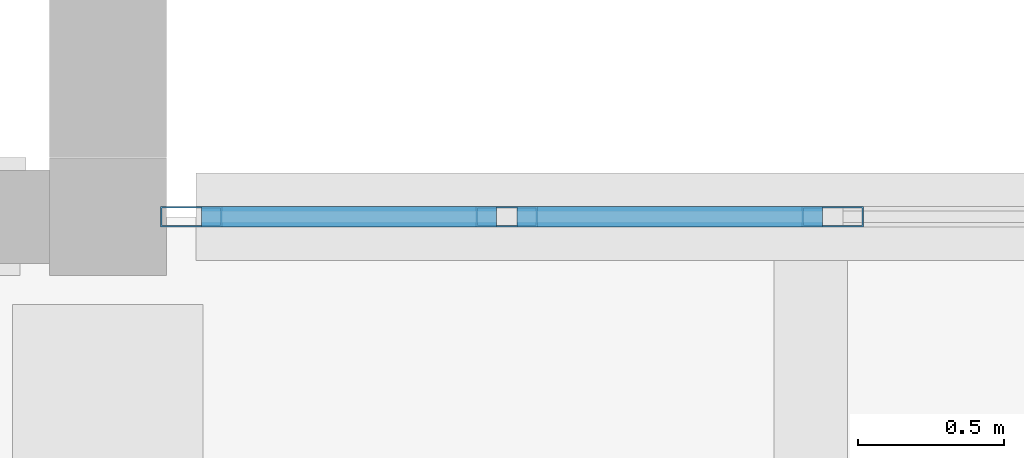
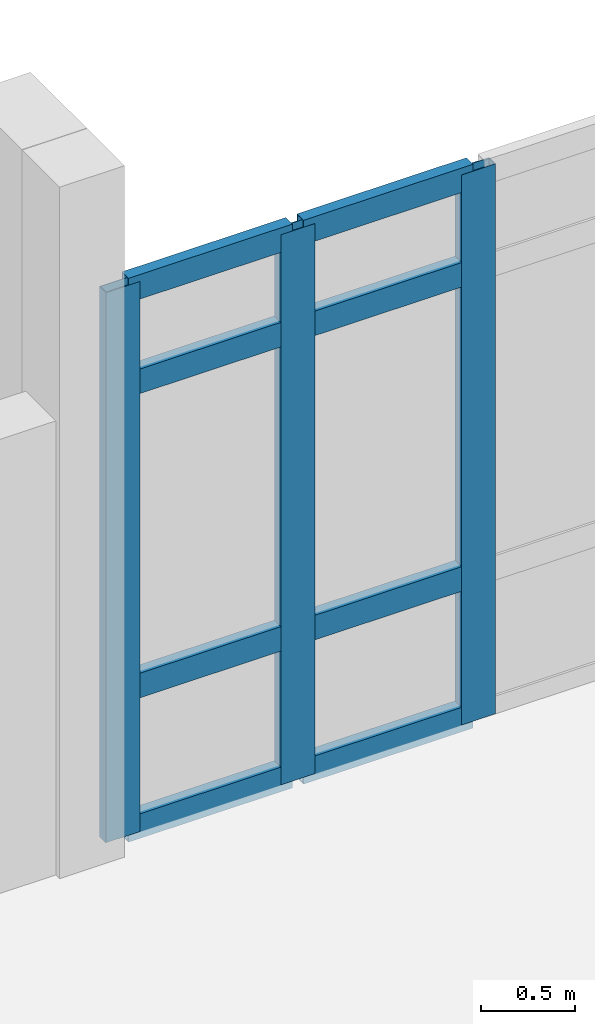
# One storey, part 12 of 34: 11 members, 1 element without a shape of its own.
"""IFC4 building model written with IfcOpenShell, lengths in metres."""

from ifc_helpers import new_model, si_unit, direction, frame, origin, origin_2d, place, context, subcontext, project, spatial, hollow_rectangle, extrude, material, material_profile, profile_set, type_object, element, aggregate, save


model = new_model("IFC4")

# Units and contexts
model_context = context("Model", 3, precision=1e-05, world=origin(), true_north=direction((0.0, 1.0)))
body_context = subcontext(model_context, "Body", "Model", "MODEL_VIEW")
ifc_project = project(units=[si_unit("LENGTHUNIT", "METRE"), si_unit("AREAUNIT", "SQUARE_METRE"), si_unit("VOLUMEUNIT", "CUBIC_METRE"), si_unit("PLANEANGLEUNIT", "RADIAN"), si_unit("MASSUNIT", "GRAM", prefix="KILO")], contexts=[model_context])

# Site, building, storey
site_placement = place(None, origin())
site = spatial("IfcSite", under=ifc_project, at=site_placement, CompositionType="ELEMENT")
building_placement = place(site_placement, origin())
building = spatial("IfcBuilding", under=site, at=building_placement, Name="Kalluvel Institute of Natural Sciences", CompositionType="ELEMENT")
storey_placement = place(building_placement, frame((0.0, 0.0, 36.89990234375)))
storey = spatial("IfcBuildingStorey", under=building, at=storey_placement, Name="L08", CompositionType="ELEMENT", Elevation=36.89990234375)

# Curtain wall, members
ifc_material = material(Name="Aluminium AW-6063 T6", Category="aluminium")
curtain_wall_type = type_object("IfcCurtainWallType", Name="CW-WET-45", PredefinedType="USERDEFINED", material=ifc_material)
curtain_wall_placement = place(storey_placement, origin())
curtain_wall = element("IfcCurtainWall", 1, at=curtain_wall_placement, inside=storey, type_object=curtain_wall_type, Name="L08 Gothic lancet curtain wall CWA-L08-X430-Y1280", ObjectType="UNITISED LANCET FACADE", PredefinedType="USERDEFINED")
ifc_material_profile_1 = material_profile(ifc_material, hollow_rectangle(XDim=0.070068359375, YDim=0.2099609375, WallThickness=0.0048828125, at=origin_2d()), Name="CWM 70x210")
ifc_profile_set_1 = profile_set([ifc_material_profile_1], Name="Aluminium AW-6063 T6")
member_type_1 = type_object("IfcMemberType", Name="CWM-70x210", PredefinedType="MULLION", material=ifc_profile_set_1)
member_1_placement = place(storey_placement, frame((43.0849609375, 128.0, 0.0), z_axis=(0.0, 0.0, 1.0), x_axis=(0.0, 1.0, 0.0)))
member_1 = element("IfcMember", 2, at=member_1_placement, type_object=member_type_1, Name="CW-01 mullion 1", PredefinedType="MULLION", context=body_context, shape_type="SweptSolid", body=[
    extrude(hollow_rectangle(XDim=0.070068359375, YDim=0.2099609375, WallThickness=0.0048828125, at=origin_2d()), origin(), (0.0, 0.0, 1.0), 3.580078125),
])
member_2_placement = place(storey_placement, frame((44.16259765625, 128.0, 0.0), z_axis=(0.0, 0.0, 1.0), x_axis=(0.0, 1.0, 0.0)))
member_2 = element("IfcMember", 3, at=member_2_placement, type_object=member_type_1, Name="CW-01 mullion 2", PredefinedType="MULLION", context=body_context, shape_type="SweptSolid", body=[
    extrude(hollow_rectangle(XDim=0.070068359375, YDim=0.2099609375, WallThickness=0.0048828125, at=origin_2d()), origin(), (0.0, 0.0, 1.0), 3.580078125),
])
member_3_placement = place(storey_placement, frame((45.27490234375, 128.0, 0.0), z_axis=(0.0, 0.0, 1.0), x_axis=(0.0, 1.0, 0.0)))
member_3 = element("IfcMember", 4, at=member_3_placement, type_object=member_type_1, Name="CW-01 mullion 3", PredefinedType="MULLION", context=body_context, shape_type="SweptSolid", body=[
    extrude(hollow_rectangle(XDim=0.070068359375, YDim=0.2099609375, WallThickness=0.0048828125, at=origin_2d()), origin(), (0.0, 0.0, 1.0), 3.580078125),
])
ifc_material_profile_2 = material_profile(ifc_material, hollow_rectangle(XDim=0.070068359375, YDim=0.159912109375, WallThickness=0.0048828125, at=origin_2d()), Name="CWT 70x160")
ifc_profile_set_2 = profile_set([ifc_material_profile_2], Name="Aluminium AW-6063 T6")
member_type_2 = type_object("IfcMemberType", Name="CWT-70x160", PredefinedType="USERDEFINED", material=ifc_profile_set_2)
member_4_placement = place(storey_placement, frame((43.1201171875, 128.0, 0.03515625), z_axis=(1.0, 0.0, 0.0), x_axis=(0.0, 1.0, 0.0)))
member_4 = element("IfcMember", 5, at=member_4_placement, type_object=member_type_2, Name="CW-01 transom 1.1", ObjectType="TRANSOM", PredefinedType="USERDEFINED", context=body_context, shape_type="SweptSolid", body=[
    extrude(hollow_rectangle(XDim=0.070068359375, YDim=0.159912109375, WallThickness=0.0048828125, at=origin_2d()), origin(), (0.0, 0.0, 1.0), 1.00732421875),
])
member_5_placement = place(storey_placement, frame((43.1201171875, 128.0, 0.9501953125), z_axis=(1.0, 0.0, 0.0), x_axis=(0.0, 1.0, 0.0)))
member_5 = element("IfcMember", 6, at=member_5_placement, type_object=member_type_2, Name="CW-01 transom 1.2", ObjectType="TRANSOM", PredefinedType="USERDEFINED", context=body_context, shape_type="SweptSolid", body=[
    extrude(hollow_rectangle(XDim=0.070068359375, YDim=0.159912109375, WallThickness=0.0048828125, at=origin_2d()), origin(), (0.0, 0.0, 1.0), 1.00732421875),
])
member_6_placement = place(storey_placement, frame((43.1201171875, 128.0, 2.93017578125), z_axis=(1.0, 0.0, 0.0), x_axis=(0.0, 1.0, 0.0)))
member_6 = element("IfcMember", 7, at=member_6_placement, type_object=member_type_2, Name="CW-01 transom 1.3", ObjectType="TRANSOM", PredefinedType="USERDEFINED", context=body_context, shape_type="SweptSolid", body=[
    extrude(hollow_rectangle(XDim=0.070068359375, YDim=0.159912109375, WallThickness=0.0048828125, at=origin_2d()), origin(), (0.0, 0.0, 1.0), 1.00732421875),
])
member_7_placement = place(storey_placement, frame((43.1201171875, 128.0, 3.545166015625), z_axis=(1.0, 0.0, 0.0), x_axis=(0.0, 1.0, 0.0)))
member_7 = element("IfcMember", 8, at=member_7_placement, type_object=member_type_2, Name="CW-01 transom 1.4", ObjectType="TRANSOM", PredefinedType="USERDEFINED", context=body_context, shape_type="SweptSolid", body=[
    extrude(hollow_rectangle(XDim=0.070068359375, YDim=0.159912109375, WallThickness=0.0048828125, at=origin_2d()), origin(), (0.0, 0.0, 1.0), 1.00732421875),
])
member_8_placement = place(storey_placement, frame((44.197509765625, 128.0, 0.03515625), z_axis=(1.0, 0.0, 0.0), x_axis=(0.0, 1.0, 0.0)))
member_8 = element("IfcMember", 9, at=member_8_placement, type_object=member_type_2, Name="CW-01 transom 2.1", ObjectType="TRANSOM", PredefinedType="USERDEFINED", context=body_context, shape_type="SweptSolid", body=[
    extrude(hollow_rectangle(XDim=0.070068359375, YDim=0.159912109375, WallThickness=0.0048828125, at=origin_2d()), origin(), (0.0, 0.0, 1.0), 1.04248046875),
])
member_9_placement = place(storey_placement, frame((44.197509765625, 128.0, 0.9501953125), z_axis=(1.0, 0.0, 0.0), x_axis=(0.0, 1.0, 0.0)))
member_9 = element("IfcMember", 10, at=member_9_placement, type_object=member_type_2, Name="CW-01 transom 2.2", ObjectType="TRANSOM", PredefinedType="USERDEFINED", context=body_context, shape_type="SweptSolid", body=[
    extrude(hollow_rectangle(XDim=0.070068359375, YDim=0.159912109375, WallThickness=0.0048828125, at=origin_2d()), origin(), (0.0, 0.0, 1.0), 1.04248046875),
])
member_10_placement = place(storey_placement, frame((44.197509765625, 128.0, 2.93017578125), z_axis=(1.0, 0.0, 0.0), x_axis=(0.0, 1.0, 0.0)))
member_10 = element("IfcMember", 11, at=member_10_placement, type_object=member_type_2, Name="CW-01 transom 2.3", ObjectType="TRANSOM", PredefinedType="USERDEFINED", context=body_context, shape_type="SweptSolid", body=[
    extrude(hollow_rectangle(XDim=0.070068359375, YDim=0.159912109375, WallThickness=0.0048828125, at=origin_2d()), origin(), (0.0, 0.0, 1.0), 1.04248046875),
])
member_11_placement = place(storey_placement, frame((44.197509765625, 128.0, 3.545166015625), z_axis=(1.0, 0.0, 0.0), x_axis=(0.0, 1.0, 0.0)))
member_11 = element("IfcMember", 12, at=member_11_placement, type_object=member_type_2, Name="CW-01 transom 2.4", ObjectType="TRANSOM", PredefinedType="USERDEFINED", context=body_context, shape_type="SweptSolid", body=[
    extrude(hollow_rectangle(XDim=0.070068359375, YDim=0.159912109375, WallThickness=0.0048828125, at=origin_2d()), origin(), (0.0, 0.0, 1.0), 1.04248046875),
])
aggregate(curtain_wall, [member_1, member_2, member_3, member_4, member_5, member_6, member_7, member_8, member_9, member_10, member_11])

save(model, "model.ifc")
